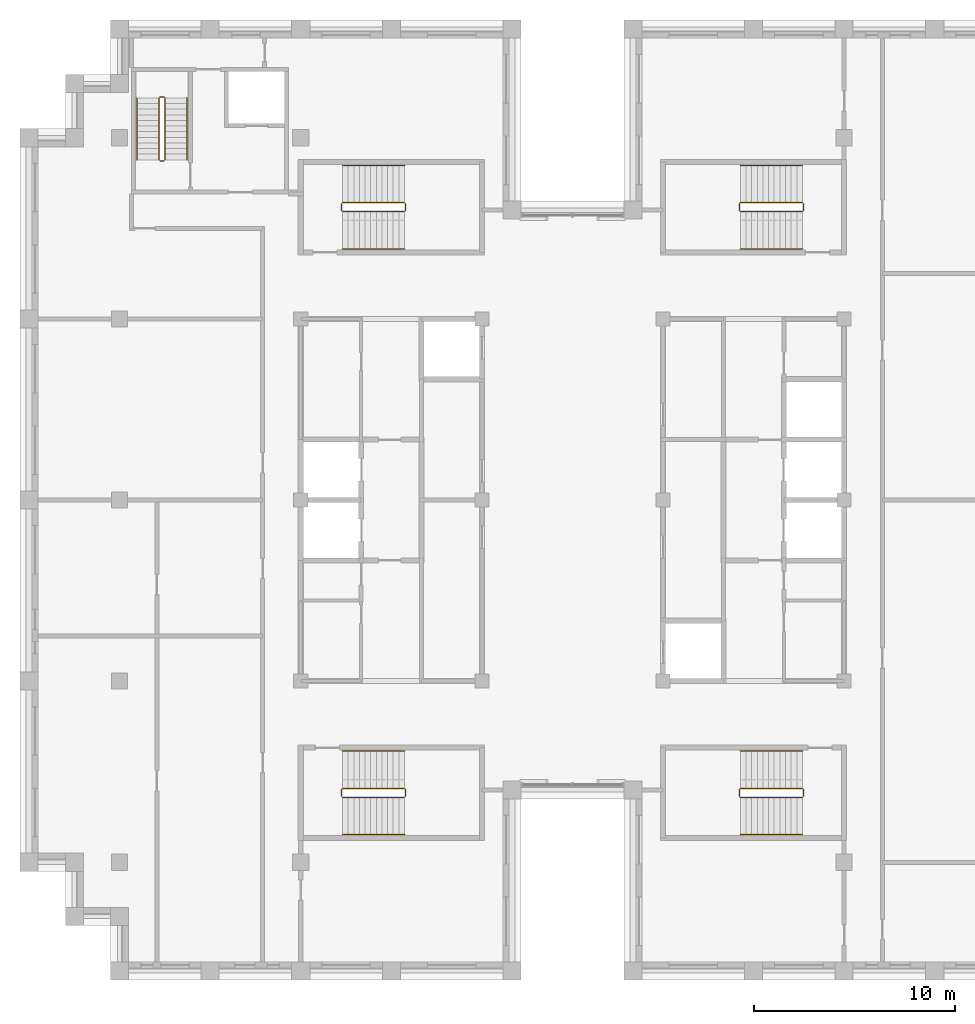
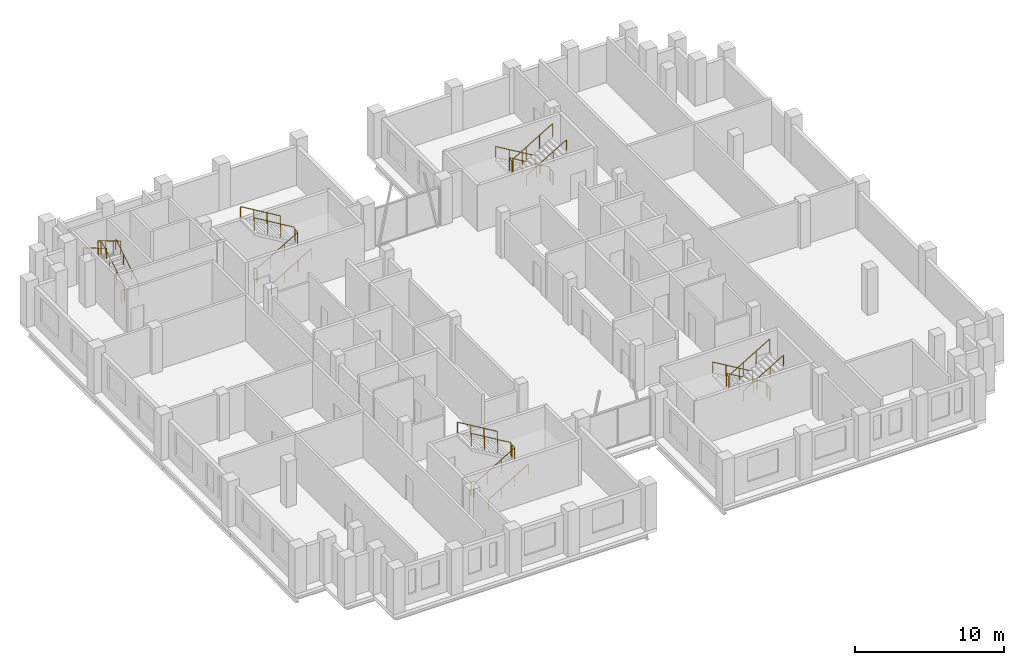
# One storey, part 13 of 13: 5 railings.
"""IFC4 building model written with IfcOpenShell, lengths in metres."""

import ifcopenshell
import ifcopenshell.guid

model = None  # the IFC model being written
_history = None  # IfcOwnerHistory: only IFC2X3 demands one
_inside = {}  # id of a spatial element -> (the spatial element, [elements in it])
_under = {}  # id of a project, library or spatial element -> (it, [spatial elements below it])
_declared = {}  # id of a project -> (the project, [libraries it declares])
_typed = {}  # id of a type object -> (the type object, [elements of that type])
_made_of = {}  # id of a material, layer set ... -> (it, [elements and type objects made of it])


def new_model(schema):
    """Start an empty IFC model of exactly this schema.

    Asked for "IFC4X3", IfcOpenShell would pick the latest addendum, in which some entities
    have other attributes; the version numbers below select the first issue.
    IFC2X3 requires an IfcOwnerHistory on every rooted entity: one is made here for all.
    """
    global model, _history
    if schema == "IFC4X3":
        model = ifcopenshell.file(schema_version=(4, 3, 0, 0))
    else:
        model = ifcopenshell.file(schema=schema)
    _inside.clear()
    _under.clear()
    _declared.clear()
    _typed.clear()
    _made_of.clear()
    _history = None
    if model.schema == "IFC2X3":
        org = make("IfcOrganization", Name="unknown")
        user = make(
            "IfcPersonAndOrganization",
            ThePerson=make("IfcPerson", FamilyName="unknown"),
            TheOrganization=org,
        )
        app = make(
            "IfcApplication",
            ApplicationDeveloper=org,
            Version="unknown",
            ApplicationFullName="unknown",
            ApplicationIdentifier="unknown",
        )
        _history = make(
            "IfcOwnerHistory",
            OwningUser=user,
            OwningApplication=app,
            ChangeAction="ADDED",
            CreationDate=0,
        )
    return model


def make(cls, **values):
    """One entity of the class cls with the attributes given. An attribute that is None is left unset."""
    return model.create_entity(
        cls, **{name: value for name, value in values.items() if value is not None}
    )


def rooted(cls, **values):
    """An entity with a GlobalId (a new one), such as an element, a storey or a relation."""
    return make(cls, GlobalId=ifcopenshell.guid.new(), OwnerHistory=_history, **values)


def si_unit(unit_type, name, prefix=None):
    """IfcSIUnit, for example si_unit("LENGTHUNIT", "METRE", prefix="MILLI")."""
    return make("IfcSIUnit", UnitType=unit_type, Prefix=prefix, Name=name)


def assignment(units):
    """IfcUnitAssignment: the units of a project."""
    return None if units is None else make("IfcUnitAssignment", Units=units)


def point(xyz):
    """IfcCartesianPoint."""
    return None if xyz is None else make("IfcCartesianPoint", Coordinates=xyz)


def direction(xyz):
    """IfcDirection."""
    return None if xyz is None else make("IfcDirection", DirectionRatios=xyz)


def frame(location, z_axis=None, x_axis=None):
    """IfcAxis2Placement3D, a coordinate frame: its origin and axes. An axis left out is left unset."""
    return make(
        "IfcAxis2Placement3D",
        Location=point(location),
        Axis=direction(z_axis),
        RefDirection=direction(x_axis),
    )


def frame_2d(location, x_axis=None):
    """IfcAxis2Placement2D, a coordinate frame in the plane: its origin and x axis."""
    return make(
        "IfcAxis2Placement2D", Location=point(location), RefDirection=direction(x_axis)
    )


def origin():
    """The frame at (0, 0, 0) with its axes left unset."""
    return frame((0.0, 0.0, 0.0))


def origin_2d():
    """The frame at (0, 0) in the plane with its x axis left unset."""
    return frame_2d((0.0, 0.0))


def place(relative_to, where):
    """IfcLocalPlacement: puts the frame where relative to a parent placement (None: the world)."""
    return make(
        "IfcLocalPlacement", PlacementRelTo=relative_to, RelativePlacement=where
    )


def context(
    kind, dimensions, precision=None, world=None, true_north=None, identifier=None
):
    """IfcGeometricRepresentationContext, for example the 3D "Model" context."""
    return make(
        "IfcGeometricRepresentationContext",
        ContextIdentifier=identifier,
        ContextType=kind,
        CoordinateSpaceDimension=dimensions,
        Precision=precision,
        WorldCoordinateSystem=world,
        TrueNorth=true_north,
    )


def subcontext(parent, identifier, kind, view, scale=None):
    """IfcGeometricRepresentationSubContext, for example "Body" below "Model"."""
    return make(
        "IfcGeometricRepresentationSubContext",
        ContextIdentifier=identifier,
        ContextType=kind,
        ParentContext=parent,
        TargetScale=scale,
        TargetView=view,
    )


def project(units=None, contexts=None):
    """IfcProject with its units and contexts."""
    return rooted(
        "IfcProject",
        Name="project",
        RepresentationContexts=contexts,
        UnitsInContext=assignment(units),
    )


def spatial(cls, under=None, at=None, **own):
    """A site, building, storey or space (cls), placed at a placement, below another one or the project."""
    s = rooted(cls, ObjectPlacement=at, **own)
    if under is not None:
        _under.setdefault(under.id(), (under, []))[1].append(s)
    return s


def profile(cls, at=None, kind="AREA", **sizes):
    """A parametric profile (cls). Its sizes go by their IFC names, for example OverallWidth=200.0."""
    return make(cls, ProfileType=kind, Position=at, **sizes)


def circle(**sizes):
    """IfcCircleProfileDef."""
    return profile("IfcCircleProfileDef", **sizes)


def extrude(swept, where, along, depth):
    """IfcExtrudedAreaSolid: the profile swept, set in the frame where, extruded along a direction by depth."""
    return make(
        "IfcExtrudedAreaSolid",
        SweptArea=swept,
        Position=where,
        ExtrudedDirection=direction(along),
        Depth=depth,
    )


def shape(context_of_items, identifier, shape_type, items):
    """IfcShapeRepresentation: the items that make up one representation, for example the "Body"."""
    return make(
        "IfcShapeRepresentation",
        ContextOfItems=context_of_items,
        RepresentationIdentifier=identifier,
        RepresentationType=shape_type,
        Items=items,
    )


def material(Name=None, Category=None):
    """IfcMaterial."""
    return make("IfcMaterial", Name=Name, Category=Category)


def made_of(thing, what):
    """Note that an element or type object is made of a material, layer set ...; save() writes the relation."""
    if what is not None:
        _made_of.setdefault(what.id(), (what, []))[1].append(thing)
    return thing


def type_object(cls, material=None, **own):
    """A type object (cls), such as IfcWallType, which elements share."""
    return made_of(rooted(cls, **own), material)


def element(
    cls,
    number,
    at=None,
    inside=None,
    cuts=None,
    type_object=None,
    material=None,
    context=None,
    identifier="Body",
    shape_type=None,
    held_by="IfcProductDefinitionShape",
    body=None,
    shapes=None,
    **own,
):
    """One element of the class cls, such as IfcWall. Its Tag is "e" and its number.

    at: its placement. inside: the storey or other place that contains it. cuts: it is an
    opening in that element (IfcRelVoidsElement). A single representation is given by context,
    identifier, shape_type and body (its items); several are given by shapes. held_by: the class
    of the entity that holds the representations. save() writes the other relations.
    """
    e = rooted(cls, Tag="e%d" % number, ObjectPlacement=at, **own)
    if body is not None:
        shapes = [shape(context, identifier, shape_type, body)]
    if shapes is not None:
        e.Representation = make(held_by, Representations=shapes)
    if inside is not None:
        _inside.setdefault(inside.id(), (inside, []))[1].append(e)
    if cuts is not None:
        rooted(
            "IfcRelVoidsElement", RelatingBuildingElement=cuts, RelatedOpeningElement=e
        )
    if type_object is not None:
        _typed.setdefault(type_object.id(), (type_object, []))[1].append(e)
    return made_of(e, material)


def aggregate(whole, parts):
    """IfcRelAggregates: a whole, such as a stair, and the parts it consists of."""
    return rooted("IfcRelAggregates", RelatingObject=whole, RelatedObjects=parts)


def save(model, path):
    """Write the relations noted so far, then the file.

    IfcRelAggregates (storeys below a building ...), IfcRelContainedInSpatialStructure (elements
    in a storey), IfcRelDefinesByType, IfcRelAssociatesMaterial and IfcRelDeclares: one each for
    every whole, place, type object, material and project.
    """
    for whole, parts in _under.values():
        aggregate(whole, parts)
    for where, things in _inside.values():
        rooted(
            "IfcRelContainedInSpatialStructure",
            RelatedElements=things,
            RelatingStructure=where,
        )
    for kind, things in _typed.values():
        rooted("IfcRelDefinesByType", RelatedObjects=things, RelatingType=kind)
    for what, things in _made_of.values():
        rooted("IfcRelAssociatesMaterial", RelatedObjects=things, RelatingMaterial=what)
    for by, libraries in _declared.values():
        rooted("IfcRelDeclares", RelatingContext=by, RelatedDefinitions=libraries)
    model.write(path)


model = new_model("IFC4")

# Units and contexts
model_context = context("Model", 3, precision=1e-05, world=origin(), true_north=direction((0.0, 1.0)))
body_context = subcontext(model_context, "Body", "Model", "MODEL_VIEW")
ifc_project = project(units=[si_unit("LENGTHUNIT", "METRE"), si_unit("AREAUNIT", "SQUARE_METRE"), si_unit("VOLUMEUNIT", "CUBIC_METRE"), si_unit("PLANEANGLEUNIT", "RADIAN"), si_unit("MASSUNIT", "GRAM", prefix="KILO")], contexts=[model_context])

# Site, building, storey
site_placement = place(None, origin())
site = spatial("IfcSite", under=ifc_project, at=site_placement, CompositionType="ELEMENT")
building_placement = place(site_placement, origin())
building = spatial("IfcBuilding", under=site, at=building_placement, Name="Corbelhall Arena Tower", CompositionType="ELEMENT")
storey_placement = place(building_placement, frame((0.0, 0.0, 312.0)))
storey = spatial("IfcBuildingStorey", under=building, at=storey_placement, Name="L68", CompositionType="ELEMENT", Elevation=312.0)

# Railings
ifc_material = material(Name="Steel ASTM A500 Gr C", Category="steel")
railing_type = type_object("IfcRailingType", Name="IN-GD-1100", PredefinedType="GUARDRAIL", material=ifc_material)
railing_1_placement = place(storey_placement, frame((-11.425048828125, 14.324951171875, 0.166748046875)))
element("IfcRailing", 1, at=railing_1_placement, inside=storey, type_object=railing_type, Name="L68 ST1 stair guards and handrails", PredefinedType="GUARDRAIL", context=body_context, shape_type="SweptSolid", body=[
    extrude(circle(Radius=0.02392578125, at=origin_2d()), frame((0.0, 0.0, 1.076171875), z_axis=(0.859308565015, 0.0, 0.511457515432), x_axis=(0.0, 1.0, 0.0)), (0.0, 0.0, 1.0), 3.58447265625),
    extrude(circle(Radius=0.02392578125, at=origin_2d()), frame((3.130126953125, 0.050048828125, 2.9091796875), z_axis=(0.0, 1.0, 0.0), x_axis=(-1.0, 0.0, 0.0)), (0.0, 0.0, 1.0), 0.35009765625),
    extrude(circle(Radius=0.02392578125, at=origin_2d()), frame((3.080078125, 0.449951171875, 3.076171875), z_axis=(-0.859308565015, 0.0, 0.511457515432), x_axis=(0.0, -1.0, 0.0)), (0.0, 0.0, 1.0), 3.58447265625),
    extrude(circle(Radius=0.02392578125, at=origin_2d()), frame((-0.050048828125, 0.050048828125, 0.9091796875), z_axis=(0.0, 1.0, 0.0), x_axis=(-1.0, 0.0, 0.0)), (0.0, 0.0, 1.0), 0.35009765625),
    extrude(circle(Radius=0.02392578125, at=origin_2d()), frame((0.0, -1.849853515625, 0.8759765625), z_axis=(0.859308565015, 0.0, 0.511457515432), x_axis=(0.0, 1.0, 0.0)), (0.0, 0.0, 1.0), 3.58447265625),
    extrude(circle(Radius=0.02392578125, at=origin_2d()), frame((3.080078125, 2.300048828125, 2.8759765625), z_axis=(-0.859308565015, 0.0, 0.511457515432), x_axis=(0.0, -1.0, 0.0)), (0.0, 0.0, 1.0), 3.58447265625),
    extrude(circle(Radius=0.02099609375, at=origin_2d()), origin(), (0.0, 0.0, 1.0), 1.052001953125),
    extrude(circle(Radius=0.02099609375, at=origin_2d()), frame((1.026611328125, 0.0, 0.611083984375)), (0.0, 0.0, 1.0), 1.052001953125),
    extrude(circle(Radius=0.02099609375, at=origin_2d()), frame((2.053466796875, 0.0, 1.22216796875)), (0.0, 0.0, 1.0), 1.052001953125),
    extrude(circle(Radius=0.02099609375, at=origin_2d()), frame((3.080078125, 0.0, 1.833251953125)), (0.0, 0.0, 1.0), 1.052001953125),
    extrude(circle(Radius=0.02099609375, at=origin_2d()), frame((3.130126953125, 0.050048828125, 1.833251953125)), (0.0, 0.0, 1.0), 1.052001953125),
    extrude(circle(Radius=0.02099609375, at=origin_2d()), frame((3.130126953125, 0.400146484375, 1.833251953125)), (0.0, 0.0, 1.0), 1.052001953125),
    extrude(circle(Radius=0.02099609375, at=origin_2d()), frame((3.080078125, 0.449951171875, 2.0)), (0.0, 0.0, 1.0), 1.052001953125),
    extrude(circle(Radius=0.02099609375, at=origin_2d()), frame((2.053466796875, 0.449951171875, 2.611083984375)), (0.0, 0.0, 1.0), 1.052001953125),
    extrude(circle(Radius=0.02099609375, at=origin_2d()), frame((1.026611328125, 0.449951171875, 3.22216796875)), (0.0, 0.0, 1.0), 1.052001953125),
    extrude(circle(Radius=0.02099609375, at=origin_2d()), frame((0.0, 0.449951171875, 3.833251953125)), (0.0, 0.0, 1.0), 1.052001953125),
    extrude(circle(Radius=0.02099609375, at=origin_2d()), frame((-0.050048828125, 0.050048828125, -0.166748046875)), (0.0, 0.0, 1.0), 1.052001953125),
    extrude(circle(Radius=0.02099609375, at=origin_2d()), frame((-0.050048828125, 0.400146484375, -0.166748046875)), (0.0, 0.0, 1.0), 1.052001953125),
    extrude(circle(Radius=0.02099609375, at=origin_2d()), frame((0.0, -1.849853515625, 0.0)), (0.0, 0.0, 1.0), 0.851806640625),
    extrude(circle(Radius=0.02099609375, at=origin_2d()), frame((1.026611328125, -1.849853515625, 0.611083984375)), (0.0, 0.0, 1.0), 0.851806640625),
    extrude(circle(Radius=0.02099609375, at=origin_2d()), frame((2.053466796875, -1.849853515625, 1.22216796875)), (0.0, 0.0, 1.0), 0.851806640625),
    extrude(circle(Radius=0.02099609375, at=origin_2d()), frame((3.080078125, -1.849853515625, 1.833251953125)), (0.0, 0.0, 1.0), 0.851806640625),
    extrude(circle(Radius=0.02099609375, at=origin_2d()), frame((3.080078125, 2.300048828125, 2.0)), (0.0, 0.0, 1.0), 0.851806640625),
    extrude(circle(Radius=0.02099609375, at=origin_2d()), frame((2.053466796875, 2.300048828125, 2.611083984375)), (0.0, 0.0, 1.0), 0.851806640625),
    extrude(circle(Radius=0.02099609375, at=origin_2d()), frame((1.026611328125, 2.300048828125, 3.22216796875)), (0.0, 0.0, 1.0), 0.851806640625),
    extrude(circle(Radius=0.02099609375, at=origin_2d()), frame((0.0, 2.300048828125, 3.833251953125)), (0.0, 0.0, 1.0), 0.851806640625),
])
railing_2_placement = place(storey_placement, frame((-11.425048828125, -14.77490234375, 0.166748046875)))
element("IfcRailing", 2, at=railing_2_placement, inside=storey, type_object=railing_type, Name="L68 ST2 stair guards and handrails", PredefinedType="GUARDRAIL", context=body_context, shape_type="SweptSolid", body=[
    extrude(circle(Radius=0.02392578125, at=origin_2d()), frame((0.0, 0.0, 1.076171875), z_axis=(0.859308565015, 0.0, 0.511457515432), x_axis=(0.0, 1.0, 0.0)), (0.0, 0.0, 1.0), 3.58447265625),
    extrude(circle(Radius=0.02392578125, at=origin_2d()), frame((3.130126953125, 0.0498046875, 2.9091796875), z_axis=(0.0, 1.0, 0.0), x_axis=(-1.0, 0.0, 0.0)), (0.0, 0.0, 1.0), 0.35009765625),
    extrude(circle(Radius=0.02392578125, at=origin_2d()), frame((3.080078125, 0.449951171875, 3.076171875), z_axis=(-0.859308565015, 0.0, 0.511457515432), x_axis=(0.0, -1.0, 0.0)), (0.0, 0.0, 1.0), 3.58447265625),
    extrude(circle(Radius=0.02392578125, at=origin_2d()), frame((-0.050048828125, 0.0498046875, 0.9091796875), z_axis=(0.0, 1.0, 0.0), x_axis=(-1.0, 0.0, 0.0)), (0.0, 0.0, 1.0), 0.35009765625),
    extrude(circle(Radius=0.02392578125, at=origin_2d()), frame((0.0, -1.85009765625, 0.8759765625), z_axis=(0.859308565015, 0.0, 0.511457515432), x_axis=(0.0, 1.0, 0.0)), (0.0, 0.0, 1.0), 3.58447265625),
    extrude(circle(Radius=0.02392578125, at=origin_2d()), frame((3.080078125, 2.2998046875, 2.8759765625), z_axis=(-0.859308565015, 0.0, 0.511457515432), x_axis=(0.0, -1.0, 0.0)), (0.0, 0.0, 1.0), 3.58447265625),
    extrude(circle(Radius=0.02099609375, at=origin_2d()), origin(), (0.0, 0.0, 1.0), 1.052001953125),
    extrude(circle(Radius=0.02099609375, at=origin_2d()), frame((1.026611328125, 0.0, 0.611083984375)), (0.0, 0.0, 1.0), 1.052001953125),
    extrude(circle(Radius=0.02099609375, at=origin_2d()), frame((2.053466796875, 0.0, 1.22216796875)), (0.0, 0.0, 1.0), 1.052001953125),
    extrude(circle(Radius=0.02099609375, at=origin_2d()), frame((3.080078125, 0.0, 1.833251953125)), (0.0, 0.0, 1.0), 1.052001953125),
    extrude(circle(Radius=0.02099609375, at=origin_2d()), frame((3.130126953125, 0.0498046875, 1.833251953125)), (0.0, 0.0, 1.0), 1.052001953125),
    extrude(circle(Radius=0.02099609375, at=origin_2d()), frame((3.130126953125, 0.39990234375, 1.833251953125)), (0.0, 0.0, 1.0), 1.052001953125),
    extrude(circle(Radius=0.02099609375, at=origin_2d()), frame((3.080078125, 0.449951171875, 2.0)), (0.0, 0.0, 1.0), 1.052001953125),
    extrude(circle(Radius=0.02099609375, at=origin_2d()), frame((2.053466796875, 0.449951171875, 2.611083984375)), (0.0, 0.0, 1.0), 1.052001953125),
    extrude(circle(Radius=0.02099609375, at=origin_2d()), frame((1.026611328125, 0.449951171875, 3.22216796875)), (0.0, 0.0, 1.0), 1.052001953125),
    extrude(circle(Radius=0.02099609375, at=origin_2d()), frame((0.0, 0.449951171875, 3.833251953125)), (0.0, 0.0, 1.0), 1.052001953125),
    extrude(circle(Radius=0.02099609375, at=origin_2d()), frame((-0.050048828125, 0.0498046875, -0.166748046875)), (0.0, 0.0, 1.0), 1.052001953125),
    extrude(circle(Radius=0.02099609375, at=origin_2d()), frame((-0.050048828125, 0.39990234375, -0.166748046875)), (0.0, 0.0, 1.0), 1.052001953125),
    extrude(circle(Radius=0.02099609375, at=origin_2d()), frame((0.0, -1.85009765625, 0.0)), (0.0, 0.0, 1.0), 0.851806640625),
    extrude(circle(Radius=0.02099609375, at=origin_2d()), frame((1.026611328125, -1.85009765625, 0.611083984375)), (0.0, 0.0, 1.0), 0.851806640625),
    extrude(circle(Radius=0.02099609375, at=origin_2d()), frame((2.053466796875, -1.85009765625, 1.22216796875)), (0.0, 0.0, 1.0), 0.851806640625),
    extrude(circle(Radius=0.02099609375, at=origin_2d()), frame((3.080078125, -1.85009765625, 1.833251953125)), (0.0, 0.0, 1.0), 0.851806640625),
    extrude(circle(Radius=0.02099609375, at=origin_2d()), frame((3.080078125, 2.2998046875, 2.0)), (0.0, 0.0, 1.0), 0.851806640625),
    extrude(circle(Radius=0.02099609375, at=origin_2d()), frame((2.053466796875, 2.2998046875, 2.611083984375)), (0.0, 0.0, 1.0), 0.851806640625),
    extrude(circle(Radius=0.02099609375, at=origin_2d()), frame((1.026611328125, 2.2998046875, 3.22216796875)), (0.0, 0.0, 1.0), 0.851806640625),
    extrude(circle(Radius=0.02099609375, at=origin_2d()), frame((0.0, 2.2998046875, 3.833251953125)), (0.0, 0.0, 1.0), 0.851806640625),
])
railing_3_placement = place(storey_placement, frame((11.425048828125, 14.77490234375, 0.166748046875)))
element("IfcRailing", 3, at=railing_3_placement, inside=storey, type_object=railing_type, Name="L68 ST3 stair guards and handrails", PredefinedType="GUARDRAIL", context=body_context, shape_type="SweptSolid", body=[
    extrude(circle(Radius=0.02392578125, at=origin_2d()), frame((0.0, 0.0, 1.076171875), z_axis=(-0.859308565015, 0.0, 0.511457515432), x_axis=(0.0, -1.0, 0.0)), (0.0, 0.0, 1.0), 3.58447265625),
    extrude(circle(Radius=0.02392578125, at=origin_2d()), frame((-3.130126953125, -0.0498046875, 2.9091796875), z_axis=(0.0, -1.0, 0.0), x_axis=(1.0, 0.0, 0.0)), (0.0, 0.0, 1.0), 0.35009765625),
    extrude(circle(Radius=0.02392578125, at=origin_2d()), frame((-3.080078125, -0.449951171875, 3.076171875), z_axis=(0.859308565015, 0.0, 0.511457515432), x_axis=(0.0, 1.0, 0.0)), (0.0, 0.0, 1.0), 3.58447265625),
    extrude(circle(Radius=0.02392578125, at=origin_2d()), frame((0.050048828125, -0.0498046875, 0.9091796875), z_axis=(0.0, -1.0, 0.0), x_axis=(1.0, 0.0, 0.0)), (0.0, 0.0, 1.0), 0.35009765625),
    extrude(circle(Radius=0.02392578125, at=origin_2d()), frame((0.0, 1.85009765625, 0.8759765625), z_axis=(-0.859308565015, 0.0, 0.511457515432), x_axis=(0.0, -1.0, 0.0)), (0.0, 0.0, 1.0), 3.58447265625),
    extrude(circle(Radius=0.02392578125, at=origin_2d()), frame((-3.080078125, -2.2998046875, 2.8759765625), z_axis=(0.859308565015, 0.0, 0.511457515432), x_axis=(0.0, 1.0, 0.0)), (0.0, 0.0, 1.0), 3.58447265625),
    extrude(circle(Radius=0.02099609375, at=origin_2d()), origin(), (0.0, 0.0, 1.0), 1.052001953125),
    extrude(circle(Radius=0.02099609375, at=origin_2d()), frame((-1.026611328125, 0.0, 0.611083984375)), (0.0, 0.0, 1.0), 1.052001953125),
    extrude(circle(Radius=0.02099609375, at=origin_2d()), frame((-2.053466796875, 0.0, 1.22216796875)), (0.0, 0.0, 1.0), 1.052001953125),
    extrude(circle(Radius=0.02099609375, at=origin_2d()), frame((-3.080078125, 0.0, 1.833251953125)), (0.0, 0.0, 1.0), 1.052001953125),
    extrude(circle(Radius=0.02099609375, at=origin_2d()), frame((-3.130126953125, -0.0498046875, 1.833251953125)), (0.0, 0.0, 1.0), 1.052001953125),
    extrude(circle(Radius=0.02099609375, at=origin_2d()), frame((-3.130126953125, -0.39990234375, 1.833251953125)), (0.0, 0.0, 1.0), 1.052001953125),
    extrude(circle(Radius=0.02099609375, at=origin_2d()), frame((-3.080078125, -0.449951171875, 2.0)), (0.0, 0.0, 1.0), 1.052001953125),
    extrude(circle(Radius=0.02099609375, at=origin_2d()), frame((-2.053466796875, -0.449951171875, 2.611083984375)), (0.0, 0.0, 1.0), 1.052001953125),
    extrude(circle(Radius=0.02099609375, at=origin_2d()), frame((-1.026611328125, -0.449951171875, 3.22216796875)), (0.0, 0.0, 1.0), 1.052001953125),
    extrude(circle(Radius=0.02099609375, at=origin_2d()), frame((0.0, -0.449951171875, 3.833251953125)), (0.0, 0.0, 1.0), 1.052001953125),
    extrude(circle(Radius=0.02099609375, at=origin_2d()), frame((0.050048828125, -0.0498046875, -0.166748046875)), (0.0, 0.0, 1.0), 1.052001953125),
    extrude(circle(Radius=0.02099609375, at=origin_2d()), frame((0.050048828125, -0.39990234375, -0.166748046875)), (0.0, 0.0, 1.0), 1.052001953125),
    extrude(circle(Radius=0.02099609375, at=origin_2d()), frame((0.0, 1.85009765625, 0.0)), (0.0, 0.0, 1.0), 0.851806640625),
    extrude(circle(Radius=0.02099609375, at=origin_2d()), frame((-1.026611328125, 1.85009765625, 0.611083984375)), (0.0, 0.0, 1.0), 0.851806640625),
    extrude(circle(Radius=0.02099609375, at=origin_2d()), frame((-2.053466796875, 1.85009765625, 1.22216796875)), (0.0, 0.0, 1.0), 0.851806640625),
    extrude(circle(Radius=0.02099609375, at=origin_2d()), frame((-3.080078125, 1.85009765625, 1.833251953125)), (0.0, 0.0, 1.0), 0.851806640625),
    extrude(circle(Radius=0.02099609375, at=origin_2d()), frame((-3.080078125, -2.2998046875, 2.0)), (0.0, 0.0, 1.0), 0.851806640625),
    extrude(circle(Radius=0.02099609375, at=origin_2d()), frame((-2.053466796875, -2.2998046875, 2.611083984375)), (0.0, 0.0, 1.0), 0.851806640625),
    extrude(circle(Radius=0.02099609375, at=origin_2d()), frame((-1.026611328125, -2.2998046875, 3.22216796875)), (0.0, 0.0, 1.0), 0.851806640625),
    extrude(circle(Radius=0.02099609375, at=origin_2d()), frame((0.0, -2.2998046875, 3.833251953125)), (0.0, 0.0, 1.0), 0.851806640625),
])
railing_4_placement = place(storey_placement, frame((11.425048828125, -14.324951171875, 0.166748046875)))
element("IfcRailing", 4, at=railing_4_placement, inside=storey, type_object=railing_type, Name="L68 ST4 stair guards and handrails", PredefinedType="GUARDRAIL", context=body_context, shape_type="SweptSolid", body=[
    extrude(circle(Radius=0.02392578125, at=origin_2d()), frame((0.0, 0.0, 1.076171875), z_axis=(-0.859308565015, 0.0, 0.511457515432), x_axis=(0.0, -1.0, 0.0)), (0.0, 0.0, 1.0), 3.58447265625),
    extrude(circle(Radius=0.02392578125, at=origin_2d()), frame((-3.130126953125, -0.050048828125, 2.9091796875), z_axis=(0.0, -1.0, 0.0), x_axis=(1.0, 0.0, 0.0)), (0.0, 0.0, 1.0), 0.35009765625),
    extrude(circle(Radius=0.02392578125, at=origin_2d()), frame((-3.080078125, -0.449951171875, 3.076171875), z_axis=(0.859308565015, 0.0, 0.511457515432), x_axis=(0.0, 1.0, 0.0)), (0.0, 0.0, 1.0), 3.58447265625),
    extrude(circle(Radius=0.02392578125, at=origin_2d()), frame((0.050048828125, -0.050048828125, 0.9091796875), z_axis=(0.0, -1.0, 0.0), x_axis=(1.0, 0.0, 0.0)), (0.0, 0.0, 1.0), 0.35009765625),
    extrude(circle(Radius=0.02392578125, at=origin_2d()), frame((0.0, 1.849853515625, 0.8759765625), z_axis=(-0.859308565015, 0.0, 0.511457515432), x_axis=(0.0, -1.0, 0.0)), (0.0, 0.0, 1.0), 3.58447265625),
    extrude(circle(Radius=0.02392578125, at=origin_2d()), frame((-3.080078125, -2.300048828125, 2.8759765625), z_axis=(0.859308565015, 0.0, 0.511457515432), x_axis=(0.0, 1.0, 0.0)), (0.0, 0.0, 1.0), 3.58447265625),
    extrude(circle(Radius=0.02099609375, at=origin_2d()), origin(), (0.0, 0.0, 1.0), 1.052001953125),
    extrude(circle(Radius=0.02099609375, at=origin_2d()), frame((-1.026611328125, 0.0, 0.611083984375)), (0.0, 0.0, 1.0), 1.052001953125),
    extrude(circle(Radius=0.02099609375, at=origin_2d()), frame((-2.053466796875, 0.0, 1.22216796875)), (0.0, 0.0, 1.0), 1.052001953125),
    extrude(circle(Radius=0.02099609375, at=origin_2d()), frame((-3.080078125, 0.0, 1.833251953125)), (0.0, 0.0, 1.0), 1.052001953125),
    extrude(circle(Radius=0.02099609375, at=origin_2d()), frame((-3.130126953125, -0.050048828125, 1.833251953125)), (0.0, 0.0, 1.0), 1.052001953125),
    extrude(circle(Radius=0.02099609375, at=origin_2d()), frame((-3.130126953125, -0.400146484375, 1.833251953125)), (0.0, 0.0, 1.0), 1.052001953125),
    extrude(circle(Radius=0.02099609375, at=origin_2d()), frame((-3.080078125, -0.449951171875, 2.0)), (0.0, 0.0, 1.0), 1.052001953125),
    extrude(circle(Radius=0.02099609375, at=origin_2d()), frame((-2.053466796875, -0.449951171875, 2.611083984375)), (0.0, 0.0, 1.0), 1.052001953125),
    extrude(circle(Radius=0.02099609375, at=origin_2d()), frame((-1.026611328125, -0.449951171875, 3.22216796875)), (0.0, 0.0, 1.0), 1.052001953125),
    extrude(circle(Radius=0.02099609375, at=origin_2d()), frame((0.0, -0.449951171875, 3.833251953125)), (0.0, 0.0, 1.0), 1.052001953125),
    extrude(circle(Radius=0.02099609375, at=origin_2d()), frame((0.050048828125, -0.050048828125, -0.166748046875)), (0.0, 0.0, 1.0), 1.052001953125),
    extrude(circle(Radius=0.02099609375, at=origin_2d()), frame((0.050048828125, -0.400146484375, -0.166748046875)), (0.0, 0.0, 1.0), 1.052001953125),
    extrude(circle(Radius=0.02099609375, at=origin_2d()), frame((0.0, 1.849853515625, 0.0)), (0.0, 0.0, 1.0), 0.851806640625),
    extrude(circle(Radius=0.02099609375, at=origin_2d()), frame((-1.026611328125, 1.849853515625, 0.611083984375)), (0.0, 0.0, 1.0), 0.851806640625),
    extrude(circle(Radius=0.02099609375, at=origin_2d()), frame((-2.053466796875, 1.849853515625, 1.22216796875)), (0.0, 0.0, 1.0), 0.851806640625),
    extrude(circle(Radius=0.02099609375, at=origin_2d()), frame((-3.080078125, 1.849853515625, 1.833251953125)), (0.0, 0.0, 1.0), 0.851806640625),
    extrude(circle(Radius=0.02099609375, at=origin_2d()), frame((-3.080078125, -2.300048828125, 2.0)), (0.0, 0.0, 1.0), 0.851806640625),
    extrude(circle(Radius=0.02099609375, at=origin_2d()), frame((-2.053466796875, -2.300048828125, 2.611083984375)), (0.0, 0.0, 1.0), 0.851806640625),
    extrude(circle(Radius=0.02099609375, at=origin_2d()), frame((-1.026611328125, -2.300048828125, 3.22216796875)), (0.0, 0.0, 1.0), 0.851806640625),
    extrude(circle(Radius=0.02099609375, at=origin_2d()), frame((0.0, -2.300048828125, 3.833251953125)), (0.0, 0.0, 1.0), 0.851806640625),
])
railing_5_placement = place(storey_placement, frame((-20.2451171875, 16.89990234375, 0.166748046875)))
element("IfcRailing", 5, at=railing_5_placement, inside=storey, type_object=railing_type, Name="L68 ST5 stair guards and handrails", PredefinedType="GUARDRAIL", context=body_context, shape_type="SweptSolid", body=[
    extrude(circle(Radius=0.02392578125, at=origin_2d()), frame((0.0, 0.0, 1.076171875), z_axis=(0.0, 0.859308565015, 0.511457515432), x_axis=(-1.0, 0.0, 0.0)), (0.0, 0.0, 1.0), 3.58447265625),
    extrude(circle(Radius=0.02392578125, at=origin_2d()), frame((-0.0498046875, 3.130126953125, 2.9091796875), z_axis=(-1.0, 0.0, 0.0), x_axis=(0.0, -1.0, 0.0)), (0.0, 0.0, 1.0), 0.2001953125),
    extrude(circle(Radius=0.02392578125, at=origin_2d()), frame((-0.2998046875, 3.080078125, 3.076171875), z_axis=(0.0, -0.859308565015, 0.511457515432), x_axis=(1.0, 0.0, 0.0)), (0.0, 0.0, 1.0), 3.58447265625),
    extrude(circle(Radius=0.02392578125, at=origin_2d()), frame((-0.0498046875, -0.0498046875, 0.9091796875), z_axis=(-1.0, 0.0, 0.0), x_axis=(0.0, -1.0, 0.0)), (0.0, 0.0, 1.0), 0.2001953125),
    extrude(circle(Radius=0.02392578125, at=origin_2d()), frame((1.10009765625, 0.0, 0.8759765625), z_axis=(0.0, 0.859308565015, 0.511457515432), x_axis=(-1.0, 0.0, 0.0)), (0.0, 0.0, 1.0), 3.58447265625),
    extrude(circle(Radius=0.02392578125, at=origin_2d()), frame((-1.39990234375, 3.080078125, 2.8759765625), z_axis=(0.0, -0.859308565015, 0.511457515432), x_axis=(1.0, 0.0, 0.0)), (0.0, 0.0, 1.0), 3.58447265625),
    extrude(circle(Radius=0.02099609375, at=origin_2d()), origin(), (0.0, 0.0, 1.0), 1.052001953125),
    extrude(circle(Radius=0.02099609375, at=origin_2d()), frame((0.0, 1.026611328125, 0.611083984375)), (0.0, 0.0, 1.0), 1.052001953125),
    extrude(circle(Radius=0.02099609375, at=origin_2d()), frame((0.0, 2.053466796875, 1.22216796875)), (0.0, 0.0, 1.0), 1.052001953125),
    extrude(circle(Radius=0.02099609375, at=origin_2d()), frame((0.0, 3.080078125, 1.833251953125)), (0.0, 0.0, 1.0), 1.052001953125),
    extrude(circle(Radius=0.02099609375, at=origin_2d()), frame((-0.0498046875, 3.130126953125, 1.833251953125)), (0.0, 0.0, 1.0), 1.052001953125),
    extrude(circle(Radius=0.02099609375, at=origin_2d()), frame((-0.25, 3.130126953125, 1.833251953125)), (0.0, 0.0, 1.0), 1.052001953125),
    extrude(circle(Radius=0.02099609375, at=origin_2d()), frame((-0.2998046875, 3.080078125, 2.0)), (0.0, 0.0, 1.0), 1.052001953125),
    extrude(circle(Radius=0.02099609375, at=origin_2d()), frame((-0.2998046875, 2.053466796875, 2.611083984375)), (0.0, 0.0, 1.0), 1.052001953125),
    extrude(circle(Radius=0.02099609375, at=origin_2d()), frame((-0.2998046875, 1.026611328125, 3.22216796875)), (0.0, 0.0, 1.0), 1.052001953125),
    extrude(circle(Radius=0.02099609375, at=origin_2d()), frame((-0.2998046875, 0.0, 3.833251953125)), (0.0, 0.0, 1.0), 1.052001953125),
    extrude(circle(Radius=0.02099609375, at=origin_2d()), frame((-0.0498046875, -0.0498046875, -0.166748046875)), (0.0, 0.0, 1.0), 1.052001953125),
    extrude(circle(Radius=0.02099609375, at=origin_2d()), frame((-0.25, -0.0498046875, -0.166748046875)), (0.0, 0.0, 1.0), 1.052001953125),
    extrude(circle(Radius=0.02099609375, at=origin_2d()), frame((1.10009765625, 0.0, 0.0)), (0.0, 0.0, 1.0), 0.851806640625),
    extrude(circle(Radius=0.02099609375, at=origin_2d()), frame((1.10009765625, 1.026611328125, 0.611083984375)), (0.0, 0.0, 1.0), 0.851806640625),
    extrude(circle(Radius=0.02099609375, at=origin_2d()), frame((1.10009765625, 2.053466796875, 1.22216796875)), (0.0, 0.0, 1.0), 0.851806640625),
    extrude(circle(Radius=0.02099609375, at=origin_2d()), frame((1.10009765625, 3.080078125, 1.833251953125)), (0.0, 0.0, 1.0), 0.851806640625),
    extrude(circle(Radius=0.02099609375, at=origin_2d()), frame((-1.39990234375, 3.080078125, 2.0)), (0.0, 0.0, 1.0), 0.851806640625),
    extrude(circle(Radius=0.02099609375, at=origin_2d()), frame((-1.39990234375, 2.053466796875, 2.611083984375)), (0.0, 0.0, 1.0), 0.851806640625),
    extrude(circle(Radius=0.02099609375, at=origin_2d()), frame((-1.39990234375, 1.026611328125, 3.22216796875)), (0.0, 0.0, 1.0), 0.851806640625),
    extrude(circle(Radius=0.02099609375, at=origin_2d()), frame((-1.39990234375, 0.0, 3.833251953125)), (0.0, 0.0, 1.0), 0.851806640625),
])

save(model, "model.ifc")
